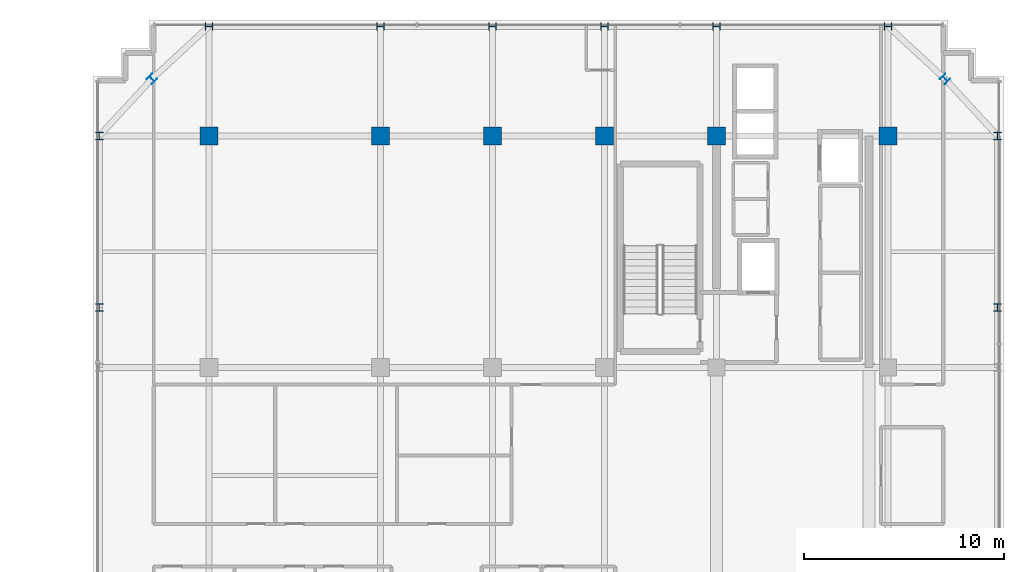
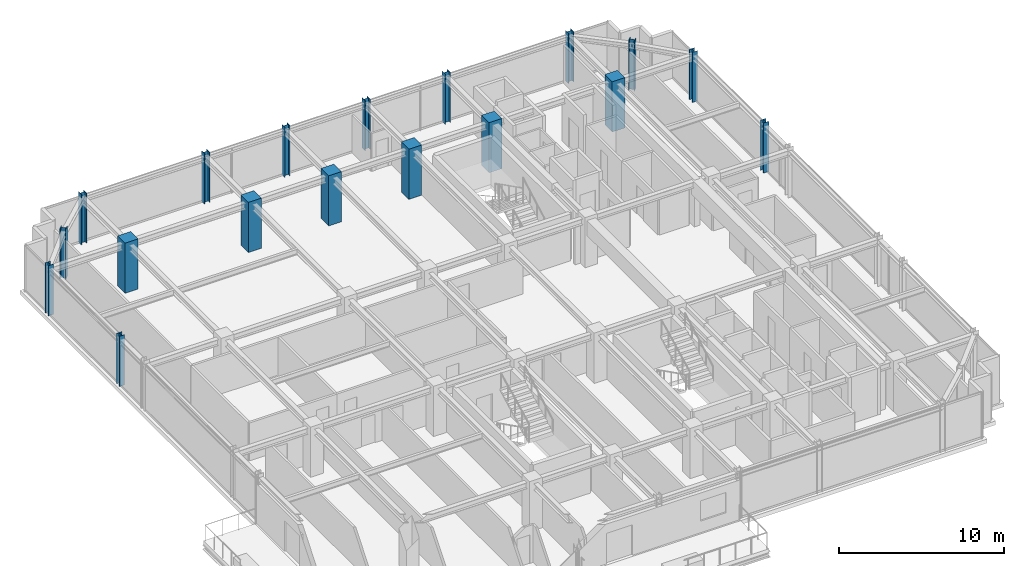
# One storey, part 3 of 31: 18 columns.
"""IFC4 building model written with IfcOpenShell, lengths in metres."""

from ifc_helpers import new_model, si_unit, direction, frame, origin, origin_2d, place, context, subcontext, project, spatial, rectangle, i_section, extrude, source, transform, mapped, material, material_profile, profile_set, type_object, element, save


model = new_model("IFC4")

# Units and contexts
model_context = context("Model", 3, precision=1e-05, world=origin(), true_north=direction((0.0, 1.0)))
body_context = subcontext(model_context, "Body", "Model", "MODEL_VIEW")
ifc_project = project(units=[si_unit("LENGTHUNIT", "METRE"), si_unit("AREAUNIT", "SQUARE_METRE"), si_unit("VOLUMEUNIT", "CUBIC_METRE"), si_unit("PLANEANGLEUNIT", "RADIAN"), si_unit("MASSUNIT", "GRAM", prefix="KILO")], contexts=[model_context])

# Site, building, storey
site_placement = place(None, origin())
site = spatial("IfcSite", under=ifc_project, at=site_placement, CompositionType="ELEMENT")
building_placement = place(site_placement, origin())
building = spatial("IfcBuilding", under=site, at=building_placement, Name="Nahalor Promenade Grand Hotel", CompositionType="ELEMENT")
storey_placement = place(building_placement, frame((0.0, 0.0, 277.550048828125)))
storey = spatial("IfcBuildingStorey", under=building, at=storey_placement, Name="L71", CompositionType="ELEMENT", Elevation=277.550048828125)

# Columns
ifc_material_1 = material(Name="Concrete B-50 (C40/50)", Category="concrete")
ifc_material_profile_1 = material_profile(ifc_material_1, rectangle(XDim=0.9, YDim=0.9, at=origin_2d()), Name="RC 900x900")
ifc_profile_set_1 = profile_set([ifc_material_profile_1], Name="Concrete B-50 (C40/50)")
column_type_1 = type_object("IfcColumnType", Name="Col-RC-900", PredefinedType="COLUMN", material=ifc_profile_set_1)
shared_shape_1 = source(origin(), body_context, "Body", "SweptSolid", [
    extrude(rectangle(XDim=0.9, YDim=0.9, at=origin_2d()), origin(), (0.0, 0.0, 1.0), 3.704833984375),
])
for number, where, z_axis, x_axis, name in (
    (1, (-17.0, 17.0, 0.0), (0.0, 0.0, 1.0), (1.0, 0.0, 0.0), "COL-L71-I03"),
    (2, (-8.39990234375, 17.0, 0.0), (0.0, 0.0, 1.0), (1.0, 0.0, 0.0), "COL-L71-I13"),
    (3, (-2.800048828125, 17.0, 0.0), (0.0, 0.0, 1.0), (1.0, 0.0, 0.0), "COL-L71-I23"),
    (4, (2.800048828125, 17.0, 0.0), (0.0, 0.0, 1.0), (1.0, 0.0, 0.0), "COL-L71-I33"),
    (5, (8.39990234375, 17.0, 0.0), (0.0, 0.0, 1.0), (1.0, 0.0, 0.0), "COL-L71-I43"),
    (6, (17.0, 17.0, 0.0), (0.0, 0.0, 1.0), (1.0, 0.0, 0.0), "COL-L71-I53"),
):
    element("IfcColumn", number, at=place(storey_placement, frame(where, z_axis=z_axis, x_axis=x_axis)), inside=storey, type_object=column_type_1, Name=name, PredefinedType="COLUMN", context=body_context, shape_type="MappedRepresentation", body=[
        mapped(shared_shape_1, transform((0.0, 0.0, 0.0), scale=1.0)),
    ])
ifc_material_2 = material(Name="Steel S355JR", Category="steel")
ifc_material_profile_2 = material_profile(ifc_material_2, i_section(OverallWidth=0.374, OverallDepth=0.374, WebThickness=0.0144, FlangeThickness=0.0229, at=origin_2d()), Name="HD 360x262")
ifc_profile_set_2 = profile_set([ifc_material_profile_2], Name="Steel S355JR")
column_type_2 = type_object("IfcColumnType", Name="Col-Steel-HD262", PredefinedType="COLUMN", material=ifc_profile_set_2)
shared_shape_2 = source(origin(), body_context, "Body", "SweptSolid", [
    extrude(i_section(OverallWidth=0.374, OverallDepth=0.374, WebThickness=0.0144, FlangeThickness=0.0229, at=origin_2d()), origin(), (0.0, 0.0, 1.0), 3.704833984375),
])
for number, where, z_axis, x_axis, name in (
    (7, (-22.47998046875, 8.39990234375, 0.0), (0.0, 0.0, 1.0), (1.0, 0.0, 0.0), "COL-L71-PW-W4"),
    (8, (22.47998046875, 8.39990234375, 0.0), (0.0, 0.0, 1.0), (1.0, 0.0, 0.0), "COL-L71-PW-E4"),
    (9, (-22.47998046875, 17.0, 0.0), (0.0, 0.0, 1.0), (1.0, 0.0, 0.0), "COL-L71-PW-W5"),
    (10, (22.47998046875, 17.0, 0.0), (0.0, 0.0, 1.0), (1.0, 0.0, 0.0), "COL-L71-PW-E5"),
    (11, (-17.0, 22.47998046875, 0.0), (0.0, 0.0, 1.0), (0.0, 1.0, 0.0), "COL-L71-PN-N0"),
    (12, (-8.39990234375, 22.47998046875, 0.0), (0.0, 0.0, 1.0), (0.0, 1.0, 0.0), "COL-L71-PN-N1"),
    (13, (-2.800048828125, 22.47998046875, 0.0), (0.0, 0.0, 1.0), (0.0, 1.0, 0.0), "COL-L71-PN-N2"),
    (14, (2.800048828125, 22.47998046875, 0.0), (0.0, 0.0, 1.0), (0.0, 1.0, 0.0), "COL-L71-PN-N3"),
    (15, (8.39990234375, 22.47998046875, 0.0), (0.0, 0.0, 1.0), (0.0, 1.0, 0.0), "COL-L71-PN-N4"),
    (16, (17.0, 22.47998046875, 0.0), (0.0, 0.0, 1.0), (0.0, 1.0, 0.0), "COL-L71-PN-N5"),
    (17, (-19.85009765625, 19.85009765625, 0.0), (0.0, 0.0, 1.0), (0.707106781187, 0.707106781187, 0.0), "COL-L71-CRN-NW"),
    (18, (19.85009765625, 19.85009765625, 0.0), (0.0, 0.0, 1.0), (0.707106781187, 0.707106781187, 0.0), "COL-L71-CRN-NE"),
):
    element("IfcColumn", number, at=place(storey_placement, frame(where, z_axis=z_axis, x_axis=x_axis)), inside=storey, type_object=column_type_2, Name=name, PredefinedType="COLUMN", context=body_context, shape_type="MappedRepresentation", body=[
        mapped(shared_shape_2, transform((0.0, 0.0, 0.0), scale=1.0)),
    ])

save(model, "model.ifc")
